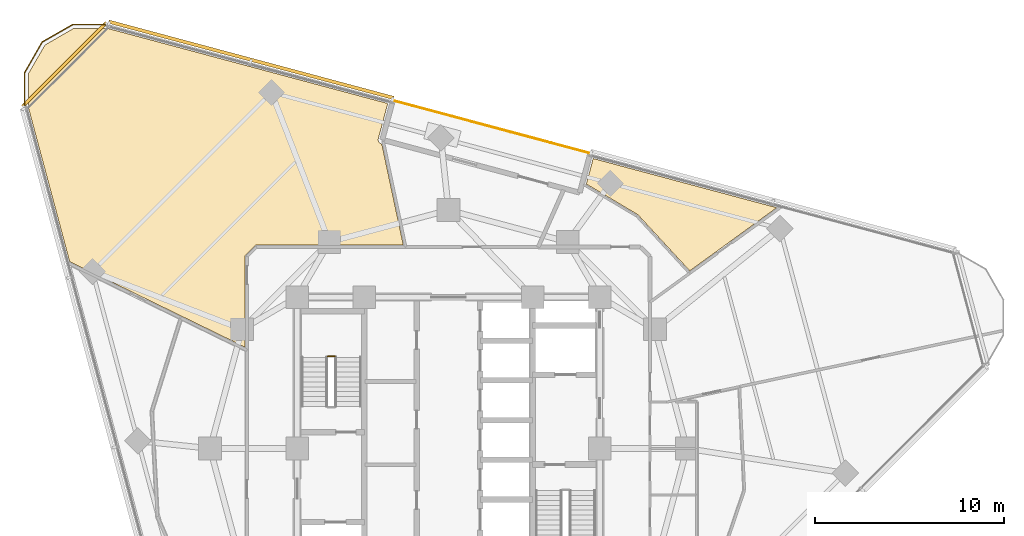
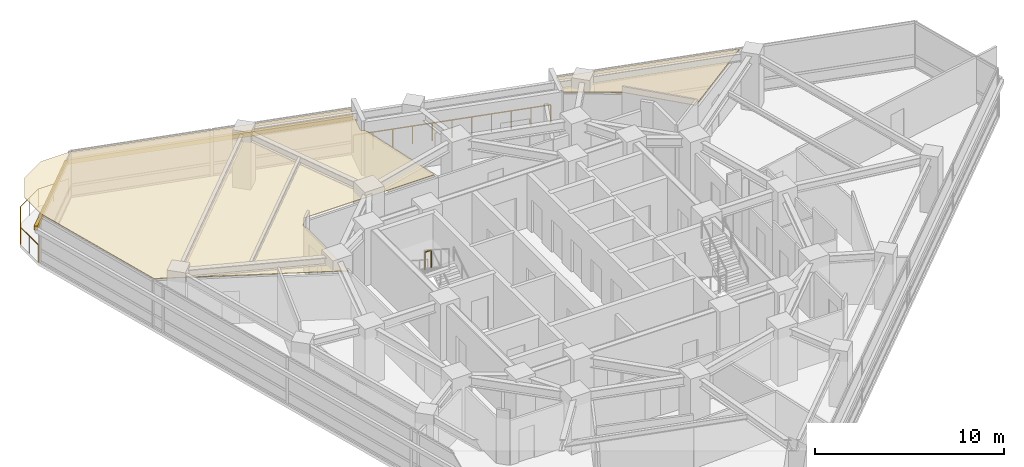
# One storey, part 13 of 14: 3 railings, 2 coverings, 2 shading devices.
"""IFC4 building model written with IfcOpenShell, lengths in metres."""

from ifc_helpers import new_model, si_unit, direction, frame, origin, origin_2d, place, context, subcontext, project, spatial, polyline, rectangle, circle, outline, extrude, material, layer, layer_set, type_object, element, save


model = new_model("IFC4")

# Units and contexts
model_context = context("Model", 3, precision=1e-05, world=origin(), true_north=direction((0.0, 1.0)))
body_context = subcontext(model_context, "Body", "Model", "MODEL_VIEW")
ifc_project = project(units=[si_unit("LENGTHUNIT", "METRE"), si_unit("AREAUNIT", "SQUARE_METRE"), si_unit("VOLUMEUNIT", "CUBIC_METRE"), si_unit("PLANEANGLEUNIT", "RADIAN"), si_unit("MASSUNIT", "GRAM", prefix="KILO")], contexts=[model_context])

# Site, building, storey
site_placement = place(None, origin())
site = spatial("IfcSite", under=ifc_project, at=site_placement, CompositionType="ELEMENT")
building_placement = place(site_placement, origin())
building = spatial("IfcBuilding", under=site, at=building_placement, Name="Terralouvre Media Tower", CompositionType="ELEMENT")
storey_placement = place(building_placement, frame((0.0, 0.0, 191.60009765625)))
storey = spatial("IfcBuildingStorey", under=building, at=storey_placement, Name="L49", CompositionType="ELEMENT", Elevation=191.60009765625)

# Coverings
ifc_material_1 = material(Name="Perforated aluminium acoustic ceiling baffle", Category="aluminium")
ifc_layer_1 = layer(ifc_material_1, 0.0400390625, Name="Perforated Acoustic Metal Tile Ceiling CL-AC1")
ifc_layer_set_1 = layer_set([ifc_layer_1], Name="Perforated aluminium acoustic ceiling baffle")
covering_type = type_object("IfcCoveringType", Name="Perforated Acoustic Metal Tile Ceiling CL-AC1", PredefinedType="CEILING", material=ifc_layer_set_1)
covering_1_placement = place(storey_placement, frame((0.0, 0.0, 2.97998046875), z_axis=(0.0, 0.0, 1.0), x_axis=(0.707106781187, 0.707106781187, 0.0)))
element("IfcCovering", 1, at=covering_1_placement, inside=storey, type_object=covering_type, Name="L49 Program Schedule Briefing Room 9 Acoustic Ceiling", PredefinedType="CEILING", context=body_context, shape_type="SweptSolid", body=[
    extrude(outline(polyline([(15.81201171875, 1.6669921875), (15.813232421875, 1.657470703125), (15.813232421875, 1.64794921875), (15.65478515625, -2.3779296875), (21.26513671875, -3.266845703125), (16.244384765625, 5.428955078125), (15.0341796875, 4.731201171875), (15.810302734375, 1.676513671875), (15.81201171875, 1.6669921875)])), origin(), (0.0, 0.0, 1.0), 0.0400390625),
])
covering_2_placement = place(storey_placement, frame((0.0, 0.0, 2.97998046875), z_axis=(0.0, 0.0, 1.0), x_axis=(0.707106781187, 0.707106781187, 0.0)))
element("IfcCovering", 2, at=covering_2_placement, inside=storey, type_object=covering_type, Name="L49 Guest Arrival Reception 12 Acoustic Ceiling", PredefinedType="CEILING", context=body_context, shape_type="SweptSolid", body=[
    extrude(outline(polyline([(-5.027099609375, 14.906494140625), (-3.8154296875, 11.38720703125), (-0.42431640625, 14.778564453125), (-0.4169921875, 14.78515625), (-0.4091796875, 14.791015625), (-0.400634765625, 14.7958984375), (-0.391845703125, 14.80029296875), (-0.382568359375, 14.803466796875), (-0.373046875, 14.805908203125), (-0.36328125, 14.807373046875), (-0.353515625, 14.807861328125), (0.353515625, 14.807861328125), (0.36328125, 14.807373046875), (0.373046875, 14.805908203125), (0.382568359375, 14.803466796875), (0.391845703125, 14.80029296875), (0.400634765625, 14.7958984375), (0.4091796875, 14.791015625), (0.4169921875, 14.78515625), (0.42431640625, 14.778564453125), (5.9130859375, 9.28955078125), (8.648193359375, 13.50146484375), (8.888427734375, 13.870849609375), (8.87255859375, 13.8984375), (8.868408203125, 13.906005859375), (8.863525390625, 13.916748046875), (8.8583984375, 13.92724609375), (8.85498046875, 13.93603515625), (8.852294921875, 13.9453125), (8.849365234375, 13.95654296875), (8.847900390625, 13.963623046875), (8.845703125, 13.9755859375), (8.844970703125, 13.98046875), (8.843505859375, 13.991943359375), (8.8427734375, 14.0009765625), (8.843017578125, 14.010009765625), (8.84375, 14.022216796875), (8.84423828125, 14.028564453125), (8.845703125, 14.0400390625), (8.846435546875, 14.044921875), (8.8486328125, 14.056884765625), (8.852294921875, 14.0712890625), (8.855712890625, 14.081787109375), (8.85986328125, 14.092529296875), (8.86474609375, 14.10302734375), (8.865966796875, 14.10546875), (8.871826171875, 14.116943359375), (8.87890625, 14.129150390625), (8.88525390625, 14.13818359375), (8.89111328125, 14.14599609375), (8.89892578125, 14.155029296875), (8.904541015625, 14.1611328125), (8.9130859375, 14.169677734375), (8.919677734375, 14.17578125), (8.9267578125, 14.18115234375), (8.935546875, 14.187255859375), (8.94482421875, 14.19384765625), (8.953125, 14.19921875), (9.211669921875, 14.34765625), (10.624755859375, 15.16357421875), (10.23291015625, 15.841552734375), (2.958984375, 28.440673828125), (1.6962890625, 29.70361328125), (0.0, 30.15771484375), (-1.6962890625, 29.70361328125), (-2.958984375, 28.440673828125), (-7.173828125, 21.140380859375), (-5.027099609375, 14.906494140625)])), origin(), (0.0, 0.0, 1.0), 0.0400390625),
])

# Railings
ifc_material_2 = material(Name="Stainless steel 316 handrail and balustrade", Category="steel")
ifc_layer_2 = layer(ifc_material_2, 0.06005859375, Name="Roof Edge Safety Guardrail GR-ROOF1")
ifc_layer_set_2 = layer_set([ifc_layer_2], Name="Stainless steel 316 handrail and balustrade")
railing_type_1 = type_object("IfcRailingType", Name="Roof Edge Safety Guardrail GR-ROOF1", PredefinedType="GUARDRAIL", material=ifc_layer_set_2)
railing_1_placement = place(storey_placement, frame((7.49169921875, 15.595458984375, 0.0)))
element("IfcRailing", 3, at=railing_1_placement, inside=storey, type_object=railing_type_1, Name="L49 SG Outer Edge Glass Balustrade", PredefinedType="GUARDRAIL", context=body_context, shape_type="SweptSolid", body=[
    extrude(circle(Radius=0.02392578125, at=origin_2d()), frame((0.0, 0.0, 1.1259765625), z_axis=(-0.965928476679, 0.25880915351, 0.0), x_axis=(-0.25880915351, -0.965928476679, 0.0)), (0.0, 0.0, 1.0), 10.800048828125),
    extrude(circle(Radius=0.02099609375, at=origin_2d()), origin(), (0.0, 0.0, 1.0), 1.101806640625),
    extrude(circle(Radius=0.02099609375, at=origin_2d()), frame((-1.043212890625, 0.279541015625, 0.0)), (0.0, 0.0, 1.0), 1.101806640625),
    extrude(circle(Radius=0.02099609375, at=origin_2d()), frame((-2.08642578125, 0.55908203125, 0.0)), (0.0, 0.0, 1.0), 1.101806640625),
    extrude(circle(Radius=0.02099609375, at=origin_2d()), frame((-3.129638671875, 0.838623046875, 0.0)), (0.0, 0.0, 1.0), 1.101806640625),
    extrude(circle(Radius=0.02099609375, at=origin_2d()), frame((-4.1728515625, 1.1181640625, 0.0)), (0.0, 0.0, 1.0), 1.101806640625),
    extrude(circle(Radius=0.02099609375, at=origin_2d()), frame((-5.216064453125, 1.3974609375, 0.0)), (0.0, 0.0, 1.0), 1.101806640625),
    extrude(circle(Radius=0.02099609375, at=origin_2d()), frame((-6.25927734375, 1.677001953125, 0.0)), (0.0, 0.0, 1.0), 1.101806640625),
    extrude(circle(Radius=0.02099609375, at=origin_2d()), frame((-7.302490234375, 1.95654296875, 0.0)), (0.0, 0.0, 1.0), 1.101806640625),
    extrude(circle(Radius=0.02099609375, at=origin_2d()), frame((-8.345703125, 2.236083984375, 0.0)), (0.0, 0.0, 1.0), 1.101806640625),
    extrude(circle(Radius=0.02099609375, at=origin_2d()), frame((-9.388916015625, 2.515625, 0.0)), (0.0, 0.0, 1.0), 1.101806640625),
    extrude(circle(Radius=0.02099609375, at=origin_2d()), frame((-10.43212890625, 2.795166015625, 0.0)), (0.0, 0.0, 1.0), 1.101806640625),
])
railing_2_placement = place(storey_placement, frame((-17.97998046875, 22.411376953125, 0.0)))
element("IfcRailing", 4, at=railing_2_placement, inside=storey, type_object=railing_type_1, Name="L49 Wind-Corner Perimeter Safety Guardrail C2", PredefinedType="GUARDRAIL", context=body_context, shape_type="SweptSolid", body=[
    extrude(circle(Radius=0.02099609375, at=origin_2d()), frame((0.0, 0.0, 1.12890625), z_axis=(-0.99999996603, 0.000260654233, 0.0), x_axis=(-0.000260654233, -0.99999996603, 0.0)), (0.0, 0.0, 1.0), 1.873291015625),
    extrude(circle(Radius=0.02099609375, at=origin_2d()), frame((-1.873291015625, 0.00048828125, 1.12890625), z_axis=(-0.866109628736, -0.499854089722, 0.0), x_axis=(0.499854089722, -0.866109628736, 0.0)), (0.0, 0.0, 1.0), 1.873046875),
    extrude(circle(Radius=0.02099609375, at=origin_2d()), frame((-3.49560546875, -0.935791015625, 1.12890625), z_axis=(-0.499854089722, -0.866109628736, 0.0), x_axis=(0.866109628736, -0.499854089722, 0.0)), (0.0, 0.0, 1.0), 1.873046875),
    extrude(circle(Radius=0.02099609375, at=origin_2d()), frame((-4.431884765625, -2.55810546875, 1.12890625), z_axis=(0.000260654233, -0.99999996603, 0.0), x_axis=(0.99999996603, 0.000260654233, 0.0)), (0.0, 0.0, 1.0), 1.873291015625),
    extrude(circle(Radius=0.01904296875, at=origin_2d()), origin(), (0.0, 0.0, 1.0), 1.10791015625),
    extrude(circle(Radius=0.01904296875, at=origin_2d()), frame((-0.9365234375, 0.000244140625, 0.0)), (0.0, 0.0, 1.0), 1.10791015625),
    extrude(circle(Radius=0.01904296875, at=origin_2d()), frame((-1.873291015625, 0.00048828125, 0.0)), (0.0, 0.0, 1.0), 1.10791015625),
    extrude(circle(Radius=0.01904296875, at=origin_2d()), frame((-2.6845703125, -0.4677734375, 0.0)), (0.0, 0.0, 1.0), 1.10791015625),
    extrude(circle(Radius=0.01904296875, at=origin_2d()), frame((-3.49560546875, -0.935791015625, 0.0)), (0.0, 0.0, 1.0), 1.10791015625),
    extrude(circle(Radius=0.01904296875, at=origin_2d()), frame((-3.9638671875, -1.7470703125, 0.0)), (0.0, 0.0, 1.0), 1.10791015625),
    extrude(circle(Radius=0.01904296875, at=origin_2d()), frame((-4.431884765625, -2.55810546875, 0.0)), (0.0, 0.0, 1.0), 1.10791015625),
    extrude(circle(Radius=0.01904296875, at=origin_2d()), frame((-4.431640625, -3.49462890625, 0.0)), (0.0, 0.0, 1.0), 1.10791015625),
    extrude(circle(Radius=0.01904296875, at=origin_2d()), frame((-4.431396484375, -4.431396484375, 0.0)), (0.0, 0.0, 1.0), 1.10791015625),
])
ifc_material_3 = material(Name="Stainless steel 316 handrail and balustrade", Category="steel")
ifc_layer_3 = layer(ifc_material_3, 0.050048828125, Name="Stairwell Safety Guardrail GR-INT1")
ifc_layer_set_3 = layer_set([ifc_layer_3], Name="Stainless steel 316 handrail and balustrade")
railing_type_2 = type_object("IfcRailingType", Name="Stairwell Safety Guardrail GR-INT1", PredefinedType="GUARDRAIL", material=ifc_layer_set_3)
railing_3_placement = place(storey_placement, frame((-6.0, 4.8701171875, 1.849853515625)))
element("IfcRailing", 5, at=railing_3_placement, inside=storey, type_object=railing_type_2, Name="L49 ST-01 stair guard 2", PredefinedType="GUARDRAIL", context=body_context, shape_type="SweptSolid", body=[
    extrude(circle(Radius=0.02392578125, at=origin_2d()), frame((0.0, 0.0, 1.1259765625), z_axis=(-1.0, 0.0, 0.0), x_axis=(0.0, -1.0, 0.0)), (0.0, 0.0, 1.0), 0.3798828125),
    extrude(circle(Radius=0.02099609375, at=origin_2d()), origin(), (0.0, 0.0, 1.0), 1.101806640625),
    extrude(circle(Radius=0.02099609375, at=origin_2d()), frame((-0.3798828125, 0.0, 0.0)), (0.0, 0.0, 1.0), 1.101806640625),
])

# Shading devices
ifc_material_4 = material(Name="Extruded terracotta baguette sunshade louvres", Category="masonry")
shading_device_type = type_object("IfcShadingDeviceType", Name="Terracotta Baguette Sunshade Louvre Screen TB-LV1", PredefinedType="USERDEFINED", material=ifc_material_4)
shading_device_1_placement = place(storey_placement, frame((-10.4287109375, 20.5419921875, 2.02392578125), z_axis=(0.0, 0.0, 1.0), x_axis=(-0.96592581908, 0.258819072009, 0.0)))
element("IfcShadingDevice", 6, at=shading_device_1_placement, inside=storey, type_object=shading_device_type, Name="CW-L49-F1R Terracotta Baguette Sunshade Louvre", ObjectType="BAGUETTE", PredefinedType="USERDEFINED", context=body_context, shape_type="SweptSolid", body=[
    extrude(rectangle(XDim=15.580078125, YDim=0.179931640625, at=origin_2d()), origin(), (0.0, 0.0, 1.0), 0.280029296875),
])
shading_device_2_placement = place(storey_placement, frame((-20.291015625, 20.291015625, 2.02392578125), z_axis=(0.0, 0.0, 1.0), x_axis=(-0.707106781187, -0.707106781187, 0.0)))
element("IfcShadingDevice", 7, at=shading_device_2_placement, inside=storey, type_object=shading_device_type, Name="CW-L49-C2 Terracotta Baguette Sunshade Louvre", ObjectType="BAGUETTE", PredefinedType="USERDEFINED", context=body_context, shape_type="SweptSolid", body=[
    extrude(rectangle(XDim=6.27001953125, YDim=0.179931640625, at=origin_2d()), origin(), (0.0, 0.0, 1.0), 0.280029296875),
])

save(model, "model.ifc")
